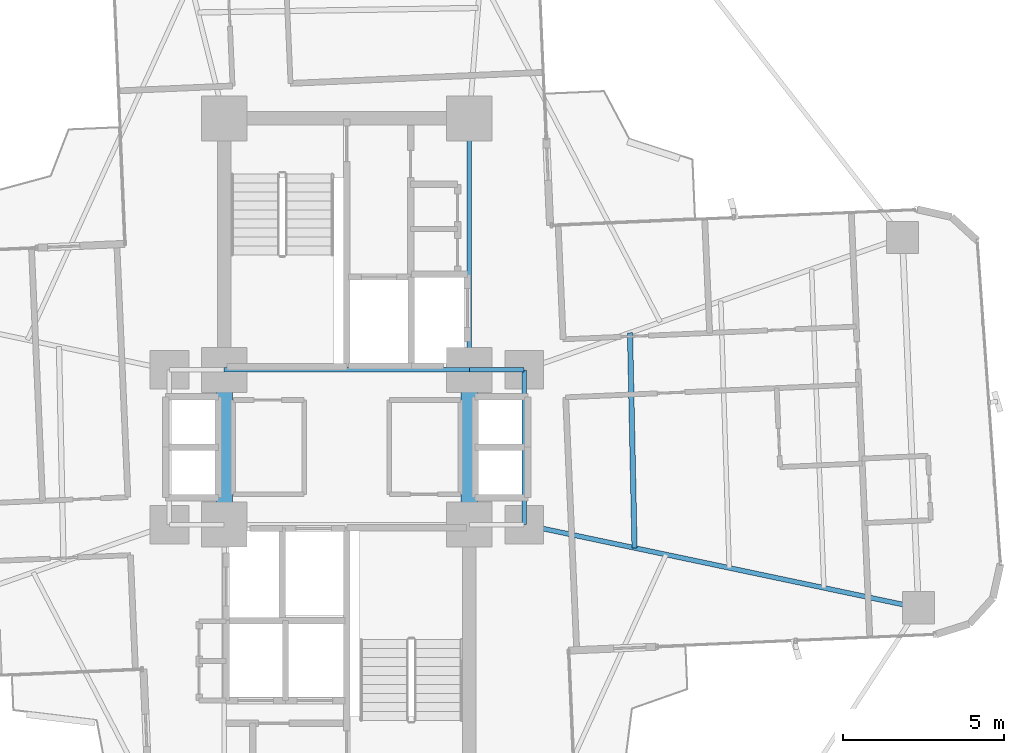
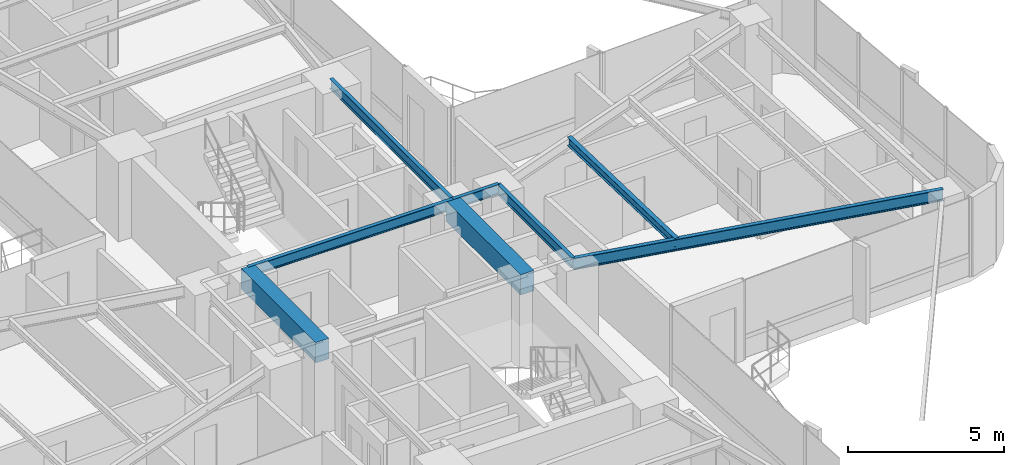
# One storey, part 12 of 27: 8 beams.
"""IFC4 building model written with IfcOpenShell, lengths in metres."""

import ifcopenshell
import ifcopenshell.guid

model = None  # the IFC model being written
_history = None  # IfcOwnerHistory: only IFC2X3 demands one
_inside = {}  # id of a spatial element -> (the spatial element, [elements in it])
_under = {}  # id of a project, library or spatial element -> (it, [spatial elements below it])
_declared = {}  # id of a project -> (the project, [libraries it declares])
_typed = {}  # id of a type object -> (the type object, [elements of that type])
_made_of = {}  # id of a material, layer set ... -> (it, [elements and type objects made of it])


def new_model(schema):
    """Start an empty IFC model of exactly this schema.

    Asked for "IFC4X3", IfcOpenShell would pick the latest addendum, in which some entities
    have other attributes; the version numbers below select the first issue.
    IFC2X3 requires an IfcOwnerHistory on every rooted entity: one is made here for all.
    """
    global model, _history
    if schema == "IFC4X3":
        model = ifcopenshell.file(schema_version=(4, 3, 0, 0))
    else:
        model = ifcopenshell.file(schema=schema)
    _inside.clear()
    _under.clear()
    _declared.clear()
    _typed.clear()
    _made_of.clear()
    _history = None
    if model.schema == "IFC2X3":
        org = make("IfcOrganization", Name="unknown")
        user = make(
            "IfcPersonAndOrganization",
            ThePerson=make("IfcPerson", FamilyName="unknown"),
            TheOrganization=org,
        )
        app = make(
            "IfcApplication",
            ApplicationDeveloper=org,
            Version="unknown",
            ApplicationFullName="unknown",
            ApplicationIdentifier="unknown",
        )
        _history = make(
            "IfcOwnerHistory",
            OwningUser=user,
            OwningApplication=app,
            ChangeAction="ADDED",
            CreationDate=0,
        )
    return model


def make(cls, **values):
    """One entity of the class cls with the attributes given. An attribute that is None is left unset."""
    return model.create_entity(
        cls, **{name: value for name, value in values.items() if value is not None}
    )


def rooted(cls, **values):
    """An entity with a GlobalId (a new one), such as an element, a storey or a relation."""
    return make(cls, GlobalId=ifcopenshell.guid.new(), OwnerHistory=_history, **values)


def si_unit(unit_type, name, prefix=None):
    """IfcSIUnit, for example si_unit("LENGTHUNIT", "METRE", prefix="MILLI")."""
    return make("IfcSIUnit", UnitType=unit_type, Prefix=prefix, Name=name)


def assignment(units):
    """IfcUnitAssignment: the units of a project."""
    return None if units is None else make("IfcUnitAssignment", Units=units)


def point(xyz):
    """IfcCartesianPoint."""
    return None if xyz is None else make("IfcCartesianPoint", Coordinates=xyz)


def direction(xyz):
    """IfcDirection."""
    return None if xyz is None else make("IfcDirection", DirectionRatios=xyz)


def frame(location, z_axis=None, x_axis=None):
    """IfcAxis2Placement3D, a coordinate frame: its origin and axes. An axis left out is left unset."""
    return make(
        "IfcAxis2Placement3D",
        Location=point(location),
        Axis=direction(z_axis),
        RefDirection=direction(x_axis),
    )


def frame_2d(location, x_axis=None):
    """IfcAxis2Placement2D, a coordinate frame in the plane: its origin and x axis."""
    return make(
        "IfcAxis2Placement2D", Location=point(location), RefDirection=direction(x_axis)
    )


def origin():
    """The frame at (0, 0, 0) with its axes left unset."""
    return frame((0.0, 0.0, 0.0))


def origin_2d():
    """The frame at (0, 0) in the plane with its x axis left unset."""
    return frame_2d((0.0, 0.0))


def place(relative_to, where):
    """IfcLocalPlacement: puts the frame where relative to a parent placement (None: the world)."""
    return make(
        "IfcLocalPlacement", PlacementRelTo=relative_to, RelativePlacement=where
    )


def context(
    kind, dimensions, precision=None, world=None, true_north=None, identifier=None
):
    """IfcGeometricRepresentationContext, for example the 3D "Model" context."""
    return make(
        "IfcGeometricRepresentationContext",
        ContextIdentifier=identifier,
        ContextType=kind,
        CoordinateSpaceDimension=dimensions,
        Precision=precision,
        WorldCoordinateSystem=world,
        TrueNorth=true_north,
    )


def subcontext(parent, identifier, kind, view, scale=None):
    """IfcGeometricRepresentationSubContext, for example "Body" below "Model"."""
    return make(
        "IfcGeometricRepresentationSubContext",
        ContextIdentifier=identifier,
        ContextType=kind,
        ParentContext=parent,
        TargetScale=scale,
        TargetView=view,
    )


def project(units=None, contexts=None):
    """IfcProject with its units and contexts."""
    return rooted(
        "IfcProject",
        Name="project",
        RepresentationContexts=contexts,
        UnitsInContext=assignment(units),
    )


def spatial(cls, under=None, at=None, **own):
    """A site, building, storey or space (cls), placed at a placement, below another one or the project."""
    s = rooted(cls, ObjectPlacement=at, **own)
    if under is not None:
        _under.setdefault(under.id(), (under, []))[1].append(s)
    return s


def profile(cls, at=None, kind="AREA", **sizes):
    """A parametric profile (cls). Its sizes go by their IFC names, for example OverallWidth=200.0."""
    return make(cls, ProfileType=kind, Position=at, **sizes)


def rectangle(**sizes):
    """IfcRectangleProfileDef."""
    return profile("IfcRectangleProfileDef", **sizes)


def i_section(**sizes):
    """IfcIShapeProfileDef."""
    return profile("IfcIShapeProfileDef", **sizes)


def extrude(swept, where, along, depth):
    """IfcExtrudedAreaSolid: the profile swept, set in the frame where, extruded along a direction by depth."""
    return make(
        "IfcExtrudedAreaSolid",
        SweptArea=swept,
        Position=where,
        ExtrudedDirection=direction(along),
        Depth=depth,
    )


def shape(context_of_items, identifier, shape_type, items):
    """IfcShapeRepresentation: the items that make up one representation, for example the "Body"."""
    return make(
        "IfcShapeRepresentation",
        ContextOfItems=context_of_items,
        RepresentationIdentifier=identifier,
        RepresentationType=shape_type,
        Items=items,
    )


def source(mapping_origin, context_of_items, identifier, shape_type, items):
    """IfcRepresentationMap: a shape defined once, which mapped items show again and again."""
    return make(
        "IfcRepresentationMap",
        MappingOrigin=mapping_origin,
        MappedRepresentation=shape(context_of_items, identifier, shape_type, items),
    )


def transform(
    local_origin,
    x_axis=None,
    y_axis=None,
    z_axis=None,
    scale=None,
    scale2=None,
    scale3=None,
    uniform=True,
):
    """IfcCartesianTransformationOperator3D, or its non-uniform kind. x_axis, y_axis, z_axis: its Axis1, 2, 3."""
    if uniform:
        return make(
            "IfcCartesianTransformationOperator3D",
            Axis1=direction(x_axis),
            Axis2=direction(y_axis),
            LocalOrigin=point(local_origin),
            Scale=scale,
            Axis3=direction(z_axis),
        )
    return make(
        "IfcCartesianTransformationOperator3DnonUniform",
        Axis1=direction(x_axis),
        Axis2=direction(y_axis),
        LocalOrigin=point(local_origin),
        Scale=scale,
        Axis3=direction(z_axis),
        Scale2=scale2,
        Scale3=scale3,
    )


def mapped(mapping_source, mapping_target):
    """IfcMappedItem: shows the shape of a source again, moved by a transform."""
    return make(
        "IfcMappedItem", MappingSource=mapping_source, MappingTarget=mapping_target
    )


def material(Name=None, Category=None):
    """IfcMaterial."""
    return make("IfcMaterial", Name=Name, Category=Category)


def material_profile(
    of_material, cross_section, Name=None, Category=None, Priority=None
):
    """IfcMaterialProfile: a cross section and its material."""
    return make(
        "IfcMaterialProfile",
        Name=Name,
        Material=of_material,
        Profile=cross_section,
        Priority=Priority,
        Category=Category,
    )


def profile_set(profiles, Name=None, composite=None):
    """IfcMaterialProfileSet."""
    return make(
        "IfcMaterialProfileSet",
        Name=Name,
        MaterialProfiles=profiles,
        CompositeProfile=composite,
    )


def made_of(thing, what):
    """Note that an element or type object is made of a material, layer set ...; save() writes the relation."""
    if what is not None:
        _made_of.setdefault(what.id(), (what, []))[1].append(thing)
    return thing


def type_object(cls, material=None, **own):
    """A type object (cls), such as IfcWallType, which elements share."""
    return made_of(rooted(cls, **own), material)


def element(
    cls,
    number,
    at=None,
    inside=None,
    cuts=None,
    type_object=None,
    material=None,
    context=None,
    identifier="Body",
    shape_type=None,
    held_by="IfcProductDefinitionShape",
    body=None,
    shapes=None,
    **own,
):
    """One element of the class cls, such as IfcWall. Its Tag is "e" and its number.

    at: its placement. inside: the storey or other place that contains it. cuts: it is an
    opening in that element (IfcRelVoidsElement). A single representation is given by context,
    identifier, shape_type and body (its items); several are given by shapes. held_by: the class
    of the entity that holds the representations. save() writes the other relations.
    """
    e = rooted(cls, Tag="e%d" % number, ObjectPlacement=at, **own)
    if body is not None:
        shapes = [shape(context, identifier, shape_type, body)]
    if shapes is not None:
        e.Representation = make(held_by, Representations=shapes)
    if inside is not None:
        _inside.setdefault(inside.id(), (inside, []))[1].append(e)
    if cuts is not None:
        rooted(
            "IfcRelVoidsElement", RelatingBuildingElement=cuts, RelatedOpeningElement=e
        )
    if type_object is not None:
        _typed.setdefault(type_object.id(), (type_object, []))[1].append(e)
    return made_of(e, material)


def aggregate(whole, parts):
    """IfcRelAggregates: a whole, such as a stair, and the parts it consists of."""
    return rooted("IfcRelAggregates", RelatingObject=whole, RelatedObjects=parts)


def save(model, path):
    """Write the relations noted so far, then the file.

    IfcRelAggregates (storeys below a building ...), IfcRelContainedInSpatialStructure (elements
    in a storey), IfcRelDefinesByType, IfcRelAssociatesMaterial and IfcRelDeclares: one each for
    every whole, place, type object, material and project.
    """
    for whole, parts in _under.values():
        aggregate(whole, parts)
    for where, things in _inside.values():
        rooted(
            "IfcRelContainedInSpatialStructure",
            RelatedElements=things,
            RelatingStructure=where,
        )
    for kind, things in _typed.values():
        rooted("IfcRelDefinesByType", RelatedObjects=things, RelatingType=kind)
    for what, things in _made_of.values():
        rooted("IfcRelAssociatesMaterial", RelatedObjects=things, RelatingMaterial=what)
    for by, libraries in _declared.values():
        rooted("IfcRelDeclares", RelatingContext=by, RelatedDefinitions=libraries)
    model.write(path)


model = new_model("IFC4")

# Units and contexts
model_context = context("Model", 3, precision=1e-05, world=origin(), true_north=direction((0.0, 1.0)))
body_context = subcontext(model_context, "Body", "Model", "MODEL_VIEW")
ifc_project = project(units=[si_unit("LENGTHUNIT", "METRE"), si_unit("AREAUNIT", "SQUARE_METRE"), si_unit("VOLUMEUNIT", "CUBIC_METRE"), si_unit("PLANEANGLEUNIT", "RADIAN"), si_unit("MASSUNIT", "GRAM", prefix="KILO")], contexts=[model_context])

# Site, building, storey
site_placement = place(None, origin())
site = spatial("IfcSite", under=ifc_project, at=site_placement, CompositionType="ELEMENT")
building_placement = place(site_placement, origin())
building = spatial("IfcBuilding", under=site, at=building_placement, Name="Sahyath Konkavel Grand Hotel", CompositionType="ELEMENT")
storey_placement = place(building_placement, frame((0.0, 0.0, 90.199951171875)))
storey = spatial("IfcBuildingStorey", under=building, at=storey_placement, Name="L24", CompositionType="ELEMENT", Elevation=90.199951171875)

# Beams
ifc_material_1 = material(Name="Steel E350", Category="steel")
ifc_material_profile_1 = material_profile(ifc_material_1, i_section(OverallWidth=0.139892578125, OverallDepth=0.39990234375, WebThickness=0.0087890625, FlangeThickness=0.01611328125, FilletRadius=0.013916015625, at=origin_2d()), Name="ISMB 400")
ifc_profile_set_1 = profile_set([ifc_material_profile_1], Name="Steel E350")
beam_type_1 = type_object("IfcBeamType", Name="BM-ISMB400", PredefinedType="BEAM", material=ifc_profile_set_1)
shared_shape_1 = source(origin(), body_context, "Body", "SweptSolid", [
    extrude(i_section(OverallWidth=0.139892578125, OverallDepth=0.39990234375, WebThickness=0.0087890625, FlangeThickness=0.01611328125, FilletRadius=0.013916015625, at=origin_2d()), origin(), (0.0, 0.0, 1.0), 7.60009765625),
])
beam_1_placement = place(storey_placement, frame((-3.800048828125, 2.39990234375, 2.91015625), z_axis=(1.0, 0.0, 0.0), x_axis=(0.0, 1.0, 0.0)))
element("IfcBeam", 1, at=beam_1_placement, inside=storey, type_object=beam_type_1, Name="str:bm:L24:NC-S", PredefinedType="BEAM", context=body_context, shape_type="MappedRepresentation", body=[
    mapped(shared_shape_1, transform((0.0, 0.0, 0.0), scale=1.0)),
])
shared_shape_2 = source(origin(), body_context, "Body", "SweptSolid", [
    extrude(i_section(OverallWidth=0.139892578125, OverallDepth=0.39990234375, WebThickness=0.0087890625, FlangeThickness=0.01611328125, FilletRadius=0.013916015625, at=origin_2d()), origin(), (0.0, 0.0, 1.0), 7.800048828125),
])
beam_2_placement = place(storey_placement, frame((3.800048828125, 2.39990234375, 2.91015625), z_axis=(0.0, 1.0, 0.0), x_axis=(-1.0, 0.0, 0.0)))
element("IfcBeam", 2, at=beam_2_placement, inside=storey, type_object=beam_type_1, Name="str:bm:L24:NC-E", PredefinedType="BEAM", context=body_context, shape_type="MappedRepresentation", body=[
    mapped(shared_shape_2, transform((0.0, 0.0, 0.0), scale=1.0)),
])
shared_shape_3 = source(origin(), body_context, "Body", "SweptSolid", [
    extrude(i_section(OverallWidth=0.139892578125, OverallDepth=0.39990234375, WebThickness=0.0087890625, FlangeThickness=0.01611328125, FilletRadius=0.013916015625, at=origin_2d()), origin(), (0.0, 0.0, 1.0), 1.699951171875),
])
beam_3_placement = place(storey_placement, frame((3.800048828125, 2.39990234375, 2.91015625), z_axis=(1.0, 0.0, 0.0), x_axis=(0.0, 1.0, 0.0)))
element("IfcBeam", 3, at=beam_3_placement, inside=storey, type_object=beam_type_1, Name="str:bm:L24:HB-NE", PredefinedType="BEAM", context=body_context, shape_type="MappedRepresentation", body=[
    mapped(shared_shape_3, transform((0.0, 0.0, 0.0), scale=1.0)),
])
shared_shape_4 = source(origin(), body_context, "Body", "SweptSolid", [
    extrude(i_section(OverallWidth=0.139892578125, OverallDepth=0.39990234375, WebThickness=0.0087890625, FlangeThickness=0.01611328125, FilletRadius=0.013916015625, at=origin_2d()), origin(), (0.0, 0.0, 1.0), 4.7998046875),
])
beam_4_placement = place(storey_placement, frame((5.5, -2.39990234375, 2.91015625), z_axis=(0.0, 1.0, 0.0), x_axis=(-1.0, 0.0, 0.0)))
element("IfcBeam", 4, at=beam_4_placement, inside=storey, type_object=beam_type_1, Name="str:bm:L24:HB-E", PredefinedType="BEAM", context=body_context, shape_type="MappedRepresentation", body=[
    mapped(shared_shape_4, transform((0.0, 0.0, 0.0), scale=1.0)),
])
ifc_material_2 = material(Name="Concrete C50/60", Category="concrete")
ifc_material_profile_2 = material_profile(ifc_material_2, rectangle(XDim=0.5, YDim=0.800048828125, at=origin_2d()), Name="RC 500x800")
ifc_profile_set_2 = profile_set([ifc_material_profile_2], Name="Concrete C50/60")
beam_type_2 = type_object("IfcBeamType", Name="BM-CB500x800", PredefinedType="LINTEL", material=ifc_profile_set_2)
shared_shape_5 = source(origin(), body_context, "Body", "SweptSolid", [
    extrude(rectangle(XDim=0.5, YDim=0.800048828125, at=origin_2d()), origin(), (0.0, 0.0, 1.0), 4.7998046875),
])
for number, where, z_axis, x_axis, name in (
    (5, (-3.800048828125, -2.39990234375, 2.7099609375), (0.0, 1.0, 0.0), (-1.0, 0.0, 0.0), "L24 Split-Core Coupling Beam West"),
    (6, (3.800048828125, -2.39990234375, 2.7099609375), (0.0, 1.0, 0.0), (-1.0, 0.0, 0.0), "L24 Split-Core Coupling Beam East"),
):
    element("IfcBeam", number, at=place(storey_placement, frame(where, z_axis=z_axis, x_axis=x_axis)), inside=storey, type_object=beam_type_2, Name=name, PredefinedType="LINTEL", context=body_context, shape_type="MappedRepresentation", body=[
        mapped(shared_shape_5, transform((0.0, 0.0, 0.0), scale=1.0)),
    ])
ifc_material_profile_3 = material_profile(ifc_material_1, i_section(OverallWidth=0.14990234375, OverallDepth=0.449951171875, WebThickness=0.009521484375, FlangeThickness=0.017333984375, FilletRadius=0.014892578125, at=origin_2d()), Name="ISMB 450")
ifc_profile_set_3 = profile_set([ifc_material_profile_3], Name="Steel E350")
beam_type_3 = type_object("IfcBeamType", Name="BM-ISMB450", PredefinedType="BEAM", material=ifc_profile_set_3)
shared_shape_6 = source(origin(), body_context, "Body", "SweptSolid", [
    extrude(i_section(OverallWidth=0.14990234375, OverallDepth=0.449951171875, WebThickness=0.009521484375, FlangeThickness=0.017333984375, FilletRadius=0.014892578125, at=origin_2d()), origin(), (0.0, 0.0, 1.0), 12.50341796875),
])
beam_5_placement = place(storey_placement, frame((5.5, -2.39990234375, 2.885009765625), z_axis=(0.978457911392, -0.206446398937, 0.0), x_axis=(0.206446398937, 0.978457911392, 0.0)))
element("IfcBeam", 7, at=beam_5_placement, inside=storey, type_object=beam_type_3, Name="L24 Cruciform Radial Girder EA", PredefinedType="BEAM", context=body_context, shape_type="MappedRepresentation", body=[
    mapped(shared_shape_6, transform((0.0, 0.0, 0.0), scale=1.0)),
])
ifc_material_profile_4 = material_profile(ifc_material_1, i_section(OverallWidth=0.1650390625, OverallDepth=0.324951171875, WebThickness=0.007080078125, FlangeThickness=0.009765625, FilletRadius=0.014892578125, at=origin_2d()), Name="ISLB 325")
ifc_profile_set_4 = profile_set([ifc_material_profile_4], Name="Steel E350")
beam_type_4 = type_object("IfcBeamType", Name="BM-ISLB325", PredefinedType="BEAM", material=ifc_profile_set_4)
shared_shape_7 = source(origin(), body_context, "Body", "SweptSolid", [
    extrude(i_section(OverallWidth=0.1650390625, OverallDepth=0.324951171875, WebThickness=0.007080078125, FlangeThickness=0.009765625, FilletRadius=0.014892578125, at=origin_2d()), origin(), (0.0, 0.0, 1.0), 6.674560546875),
])
beam_6_placement = place(storey_placement, frame((8.925537109375, -3.122802734375, 2.947509765625), z_axis=(-0.021032188543, 0.999778799058, 0.0), x_axis=(-0.999778799058, -0.021032188543, 0.0)))
element("IfcBeam", 8, at=beam_6_placement, inside=storey, type_object=beam_type_4, Name="L24 Secondary Floor Beam E-1", PredefinedType="BEAM", context=body_context, shape_type="MappedRepresentation", body=[
    mapped(shared_shape_7, transform((0.0, 0.0, 0.0), scale=1.0)),
])

save(model, "model.ifc")
